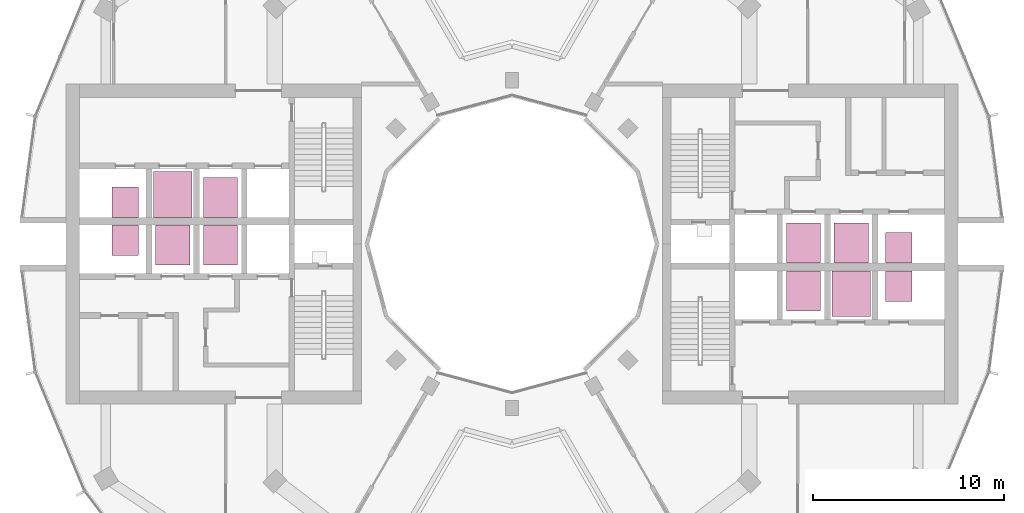
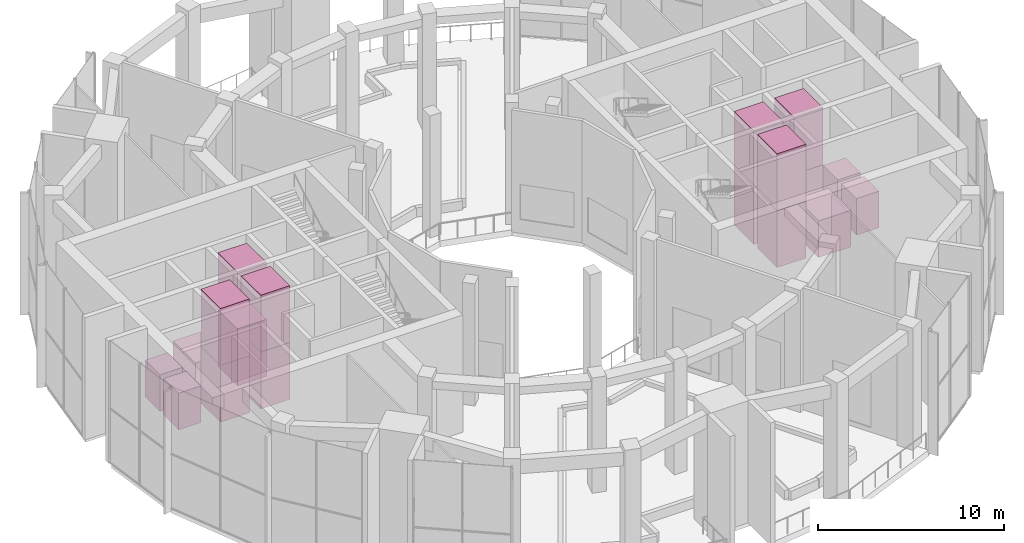
# One storey, part 18 of 18: 18 transport elements.
"""IFC4 building model written with IfcOpenShell, lengths in metres."""

from ifc_helpers import new_model, si_unit, direction, frame, origin, origin_2d, place, context, subcontext, project, spatial, rectangle, extrude, material, type_object, element, save


model = new_model("IFC4")

# Units and contexts
model_context = context("Model", 3, precision=1e-05, world=origin(), true_north=direction((0.0, 1.0)))
body_context = subcontext(model_context, "Body", "Model", "MODEL_VIEW")
ifc_project = project(units=[si_unit("LENGTHUNIT", "METRE"), si_unit("AREAUNIT", "SQUARE_METRE"), si_unit("VOLUMEUNIT", "CUBIC_METRE"), si_unit("PLANEANGLEUNIT", "RADIAN"), si_unit("MASSUNIT", "GRAM", prefix="KILO")], contexts=[model_context])

# Site, building, storey
site_placement = place(None, origin())
site = spatial("IfcSite", under=ifc_project, at=site_placement, CompositionType="ELEMENT")
building_placement = place(site_placement, origin())
building = spatial("IfcBuilding", under=site, at=building_placement, Name="Torre Brocal", CompositionType="ELEMENT")
storey_placement = place(building_placement, frame((0.0, 0.0, 149.699951171875)))
storey = spatial("IfcBuildingStorey", under=building, at=storey_placement, Name="L35", CompositionType="ELEMENT", Elevation=149.699951171875)

# Transport elements
ifc_material_1 = material(Name="Stainless steel AISI 316", Category="steel")
transport_element_type_1 = type_object("IfcTransportElementType", Name="PASSENGER LIFT", PredefinedType="ELEVATOR", material=ifc_material_1)
for number, where, z_axis, x_axis, name in (
    (1, (95.300048828125, 75.050048828125, 0.0), (0.0, 0.0, 1.0), (1.0, 0.0, 0.0), "HIGH RISE LIFT E-HR1"),
    (2, (95.300048828125, 75.050048828125, 3.72509765625), (0.0, 0.0, 1.0), (1.0, 0.0, 0.0), "HIGH RISE LIFT E-HR1"),
    (3, (95.300048828125, 72.550048828125, 0.0), (0.0, 0.0, 1.0), (1.0, 0.0, 0.0), "HIGH RISE LIFT E-HR2"),
    (4, (95.300048828125, 72.550048828125, 3.72509765625), (0.0, 0.0, 1.0), (1.0, 0.0, 0.0), "HIGH RISE LIFT E-HR2"),
    (5, (97.800048828125, 75.050048828125, 0.0), (0.0, 0.0, 1.0), (1.0, 0.0, 0.0), "HIGH RISE LIFT E-HR3"),
    (6, (97.800048828125, 75.050048828125, 3.72509765625), (0.0, 0.0, 1.0), (1.0, 0.0, 0.0), "HIGH RISE LIFT E-HR3"),
    (7, (64.699951171875, 74.949951171875, 0.0), (0.0, 0.0, 1.0), (1.0, 0.0, 0.0), "HIGH RISE LIFT W-HR1"),
    (8, (64.699951171875, 74.949951171875, 3.72509765625), (0.0, 0.0, 1.0), (1.0, 0.0, 0.0), "HIGH RISE LIFT W-HR1"),
    (9, (64.699951171875, 77.449951171875, 0.0), (0.0, 0.0, 1.0), (1.0, 0.0, 0.0), "HIGH RISE LIFT W-HR2"),
    (10, (64.699951171875, 77.449951171875, 3.72509765625), (0.0, 0.0, 1.0), (1.0, 0.0, 0.0), "HIGH RISE LIFT W-HR2"),
    (11, (62.199951171875, 74.949951171875, 0.0), (0.0, 0.0, 1.0), (1.0, 0.0, 0.0), "HIGH RISE LIFT W-HR3"),
    (12, (62.199951171875, 74.949951171875, 3.72509765625), (0.0, 0.0, 1.0), (1.0, 0.0, 0.0), "HIGH RISE LIFT W-HR3"),
):
    element("IfcTransportElement", number, at=place(storey_placement, frame(where, z_axis=z_axis, x_axis=x_axis)), inside=storey, type_object=transport_element_type_1, Name=name, PredefinedType="ELEVATOR", context=body_context, shape_type="SweptSolid", body=[
        extrude(rectangle(XDim=1.800048828125, YDim=2.10009765625, at=origin_2d()), origin(), (0.0, 0.0, 1.0), 3.72509765625),
    ])
ifc_material_2 = material(Name="Stainless steel AISI 316", Category="steel")
transport_element_type_2 = type_object("IfcTransportElementType", Name="PASSENGER LIFT 2000", PredefinedType="ELEVATOR", material=ifc_material_2)
for number, where, z_axis, x_axis, name in (
    (13, (97.800048828125, 72.39990234375, 0.0), (0.0, 0.0, 1.0), (1.0, 0.0, 0.0), "LOW RISE LIFT E-LR2"),
    (14, (62.199951171875, 77.60009765625, 0.0), (0.0, 0.0, 1.0), (1.0, 0.0, 0.0), "LOW RISE LIFT W-LR2"),
):
    element("IfcTransportElement", number, at=place(storey_placement, frame(where, z_axis=z_axis, x_axis=x_axis)), inside=storey, type_object=transport_element_type_2, Name=name, PredefinedType="ELEVATOR", context=body_context, shape_type="SweptSolid", body=[
        extrude(rectangle(XDim=2.0, YDim=2.39990234375, at=origin_2d()), origin(), (0.0, 0.0, 1.0), 2.39990234375),
    ])
ifc_material_3 = material(Name="Stainless steel AISI 316", Category="steel")
transport_element_type_3 = type_object("IfcTransportElementType", Name="PASSENGER LIFT 900", PredefinedType="ELEVATOR", material=ifc_material_3)
for number, where, z_axis, x_axis, name in (
    (15, (100.300048828125, 74.800048828125, 0.0), (0.0, 0.0, 1.0), (1.0, 0.0, 0.0), "LOW RISE LIFT E-LR1"),
    (16, (100.300048828125, 72.800048828125, 0.0), (0.0, 0.0, 1.0), (1.0, 0.0, 0.0), "LOW RISE LIFT E-LR3"),
    (17, (59.699951171875, 75.199951171875, 0.0), (0.0, 0.0, 1.0), (1.0, 0.0, 0.0), "LOW RISE LIFT W-LR1"),
    (18, (59.699951171875, 77.199951171875, 0.0), (0.0, 0.0, 1.0), (1.0, 0.0, 0.0), "LOW RISE LIFT W-LR3"),
):
    element("IfcTransportElement", number, at=place(storey_placement, frame(where, z_axis=z_axis, x_axis=x_axis)), inside=storey, type_object=transport_element_type_3, Name=name, PredefinedType="ELEVATOR", context=body_context, shape_type="SweptSolid", body=[
        extrude(rectangle(XDim=1.39990234375, YDim=1.60009765625, at=origin_2d()), origin(), (0.0, 0.0, 1.0), 2.39990234375),
    ])

save(model, "model.ifc")
